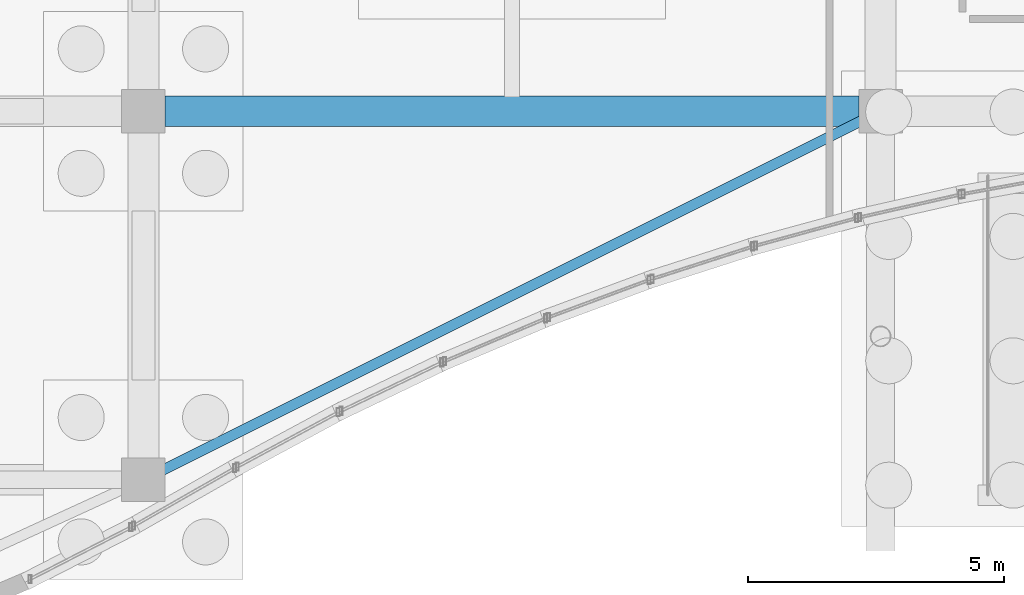
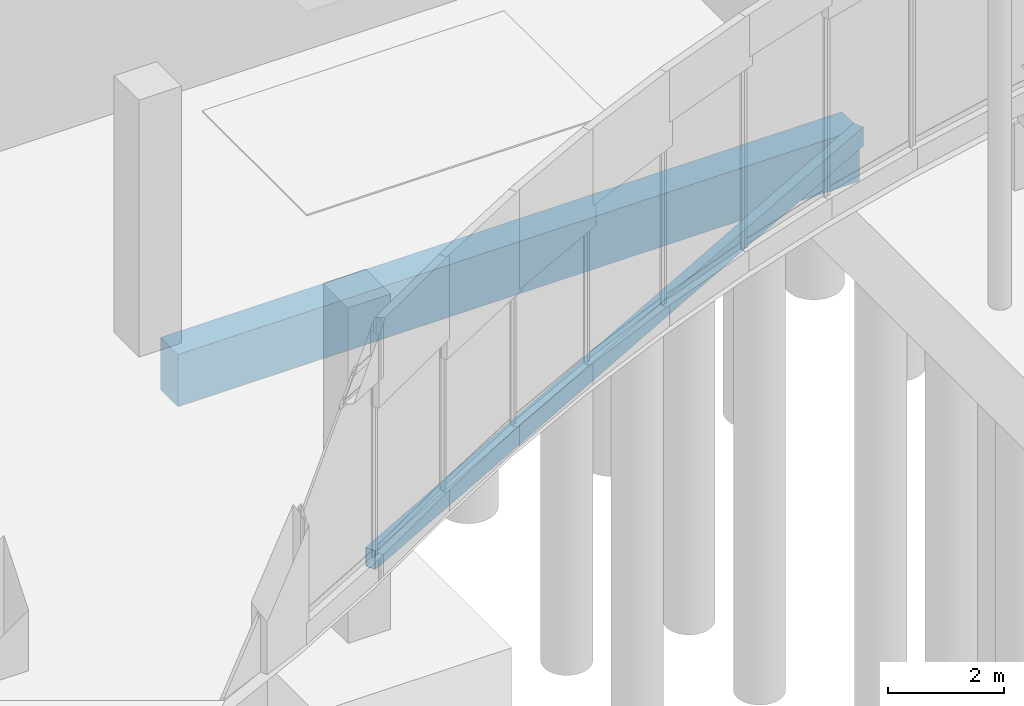
# One storey, part 47 of 192: 2 beams.
"""IFC4 building model written with IfcOpenShell, lengths in metres."""

import ifcopenshell
import ifcopenshell.guid

model = None  # the IFC model being written
_history = None  # IfcOwnerHistory: only IFC2X3 demands one
_inside = {}  # id of a spatial element -> (the spatial element, [elements in it])
_under = {}  # id of a project, library or spatial element -> (it, [spatial elements below it])
_declared = {}  # id of a project -> (the project, [libraries it declares])
_typed = {}  # id of a type object -> (the type object, [elements of that type])
_made_of = {}  # id of a material, layer set ... -> (it, [elements and type objects made of it])


def new_model(schema):
    """Start an empty IFC model of exactly this schema.

    Asked for "IFC4X3", IfcOpenShell would pick the latest addendum, in which some entities
    have other attributes; the version numbers below select the first issue.
    IFC2X3 requires an IfcOwnerHistory on every rooted entity: one is made here for all.
    """
    global model, _history
    if schema == "IFC4X3":
        model = ifcopenshell.file(schema_version=(4, 3, 0, 0))
    else:
        model = ifcopenshell.file(schema=schema)
    _inside.clear()
    _under.clear()
    _declared.clear()
    _typed.clear()
    _made_of.clear()
    _history = None
    if model.schema == "IFC2X3":
        org = make("IfcOrganization", Name="unknown")
        user = make(
            "IfcPersonAndOrganization",
            ThePerson=make("IfcPerson", FamilyName="unknown"),
            TheOrganization=org,
        )
        app = make(
            "IfcApplication",
            ApplicationDeveloper=org,
            Version="unknown",
            ApplicationFullName="unknown",
            ApplicationIdentifier="unknown",
        )
        _history = make(
            "IfcOwnerHistory",
            OwningUser=user,
            OwningApplication=app,
            ChangeAction="ADDED",
            CreationDate=0,
        )
    return model


def make(cls, **values):
    """One entity of the class cls with the attributes given. An attribute that is None is left unset."""
    return model.create_entity(
        cls, **{name: value for name, value in values.items() if value is not None}
    )


def rooted(cls, **values):
    """An entity with a GlobalId (a new one), such as an element, a storey or a relation."""
    return make(cls, GlobalId=ifcopenshell.guid.new(), OwnerHistory=_history, **values)


def si_unit(unit_type, name, prefix=None):
    """IfcSIUnit, for example si_unit("LENGTHUNIT", "METRE", prefix="MILLI")."""
    return make("IfcSIUnit", UnitType=unit_type, Prefix=prefix, Name=name)


def assignment(units):
    """IfcUnitAssignment: the units of a project."""
    return None if units is None else make("IfcUnitAssignment", Units=units)


def point(xyz):
    """IfcCartesianPoint."""
    return None if xyz is None else make("IfcCartesianPoint", Coordinates=xyz)


def direction(xyz):
    """IfcDirection."""
    return None if xyz is None else make("IfcDirection", DirectionRatios=xyz)


def frame(location, z_axis=None, x_axis=None):
    """IfcAxis2Placement3D, a coordinate frame: its origin and axes. An axis left out is left unset."""
    return make(
        "IfcAxis2Placement3D",
        Location=point(location),
        Axis=direction(z_axis),
        RefDirection=direction(x_axis),
    )


def frame_2d(location, x_axis=None):
    """IfcAxis2Placement2D, a coordinate frame in the plane: its origin and x axis."""
    return make(
        "IfcAxis2Placement2D", Location=point(location), RefDirection=direction(x_axis)
    )


def origin():
    """The frame at (0, 0, 0) with its axes left unset."""
    return frame((0.0, 0.0, 0.0))


def origin_2d():
    """The frame at (0, 0) in the plane with its x axis left unset."""
    return frame_2d((0.0, 0.0))


def place(relative_to, where):
    """IfcLocalPlacement: puts the frame where relative to a parent placement (None: the world)."""
    return make(
        "IfcLocalPlacement", PlacementRelTo=relative_to, RelativePlacement=where
    )


def context(
    kind, dimensions, precision=None, world=None, true_north=None, identifier=None
):
    """IfcGeometricRepresentationContext, for example the 3D "Model" context."""
    return make(
        "IfcGeometricRepresentationContext",
        ContextIdentifier=identifier,
        ContextType=kind,
        CoordinateSpaceDimension=dimensions,
        Precision=precision,
        WorldCoordinateSystem=world,
        TrueNorth=true_north,
    )


def subcontext(parent, identifier, kind, view, scale=None):
    """IfcGeometricRepresentationSubContext, for example "Body" below "Model"."""
    return make(
        "IfcGeometricRepresentationSubContext",
        ContextIdentifier=identifier,
        ContextType=kind,
        ParentContext=parent,
        TargetScale=scale,
        TargetView=view,
    )


def project(units=None, contexts=None):
    """IfcProject with its units and contexts."""
    return rooted(
        "IfcProject",
        Name="project",
        RepresentationContexts=contexts,
        UnitsInContext=assignment(units),
    )


def spatial(cls, under=None, at=None, **own):
    """A site, building, storey or space (cls), placed at a placement, below another one or the project."""
    s = rooted(cls, ObjectPlacement=at, **own)
    if under is not None:
        _under.setdefault(under.id(), (under, []))[1].append(s)
    return s


def profile(cls, at=None, kind="AREA", **sizes):
    """A parametric profile (cls). Its sizes go by their IFC names, for example OverallWidth=200.0."""
    return make(cls, ProfileType=kind, Position=at, **sizes)


def rectangle(**sizes):
    """IfcRectangleProfileDef."""
    return profile("IfcRectangleProfileDef", **sizes)


def hollow_rectangle(**sizes):
    """IfcRectangleHollowProfileDef."""
    return profile("IfcRectangleHollowProfileDef", **sizes)


def extrude(swept, where, along, depth):
    """IfcExtrudedAreaSolid: the profile swept, set in the frame where, extruded along a direction by depth."""
    return make(
        "IfcExtrudedAreaSolid",
        SweptArea=swept,
        Position=where,
        ExtrudedDirection=direction(along),
        Depth=depth,
    )


def shape(context_of_items, identifier, shape_type, items):
    """IfcShapeRepresentation: the items that make up one representation, for example the "Body"."""
    return make(
        "IfcShapeRepresentation",
        ContextOfItems=context_of_items,
        RepresentationIdentifier=identifier,
        RepresentationType=shape_type,
        Items=items,
    )


def material(Name=None, Category=None):
    """IfcMaterial."""
    return make("IfcMaterial", Name=Name, Category=Category)


def material_profile(
    of_material, cross_section, Name=None, Category=None, Priority=None
):
    """IfcMaterialProfile: a cross section and its material."""
    return make(
        "IfcMaterialProfile",
        Name=Name,
        Material=of_material,
        Profile=cross_section,
        Priority=Priority,
        Category=Category,
    )


def profile_set(profiles, Name=None, composite=None):
    """IfcMaterialProfileSet."""
    return make(
        "IfcMaterialProfileSet",
        Name=Name,
        MaterialProfiles=profiles,
        CompositeProfile=composite,
    )


def made_of(thing, what):
    """Note that an element or type object is made of a material, layer set ...; save() writes the relation."""
    if what is not None:
        _made_of.setdefault(what.id(), (what, []))[1].append(thing)
    return thing


def type_object(cls, material=None, **own):
    """A type object (cls), such as IfcWallType, which elements share."""
    return made_of(rooted(cls, **own), material)


def element(
    cls,
    number,
    at=None,
    inside=None,
    cuts=None,
    type_object=None,
    material=None,
    context=None,
    identifier="Body",
    shape_type=None,
    held_by="IfcProductDefinitionShape",
    body=None,
    shapes=None,
    **own,
):
    """One element of the class cls, such as IfcWall. Its Tag is "e" and its number.

    at: its placement. inside: the storey or other place that contains it. cuts: it is an
    opening in that element (IfcRelVoidsElement). A single representation is given by context,
    identifier, shape_type and body (its items); several are given by shapes. held_by: the class
    of the entity that holds the representations. save() writes the other relations.
    """
    e = rooted(cls, Tag="e%d" % number, ObjectPlacement=at, **own)
    if body is not None:
        shapes = [shape(context, identifier, shape_type, body)]
    if shapes is not None:
        e.Representation = make(held_by, Representations=shapes)
    if inside is not None:
        _inside.setdefault(inside.id(), (inside, []))[1].append(e)
    if cuts is not None:
        rooted(
            "IfcRelVoidsElement", RelatingBuildingElement=cuts, RelatedOpeningElement=e
        )
    if type_object is not None:
        _typed.setdefault(type_object.id(), (type_object, []))[1].append(e)
    return made_of(e, material)


def aggregate(whole, parts):
    """IfcRelAggregates: a whole, such as a stair, and the parts it consists of."""
    return rooted("IfcRelAggregates", RelatingObject=whole, RelatedObjects=parts)


def save(model, path):
    """Write the relations noted so far, then the file.

    IfcRelAggregates (storeys below a building ...), IfcRelContainedInSpatialStructure (elements
    in a storey), IfcRelDefinesByType, IfcRelAssociatesMaterial and IfcRelDeclares: one each for
    every whole, place, type object, material and project.
    """
    for whole, parts in _under.values():
        aggregate(whole, parts)
    for where, things in _inside.values():
        rooted(
            "IfcRelContainedInSpatialStructure",
            RelatedElements=things,
            RelatingStructure=where,
        )
    for kind, things in _typed.values():
        rooted("IfcRelDefinesByType", RelatedObjects=things, RelatingType=kind)
    for what, things in _made_of.values():
        rooted("IfcRelAssociatesMaterial", RelatedObjects=things, RelatingMaterial=what)
    for by, libraries in _declared.values():
        rooted("IfcRelDeclares", RelatingContext=by, RelatedDefinitions=libraries)
    model.write(path)


model = new_model("IFC4")

# Units and contexts
model_context = context("Model", 3, precision=1e-05, world=origin(), true_north=direction((0.0, 1.0)))
body_context = subcontext(model_context, "Body", "Model", "MODEL_VIEW")
ifc_project = project(units=[si_unit("LENGTHUNIT", "METRE"), si_unit("AREAUNIT", "SQUARE_METRE"), si_unit("VOLUMEUNIT", "CUBIC_METRE"), si_unit("PLANEANGLEUNIT", "RADIAN"), si_unit("MASSUNIT", "GRAM", prefix="KILO")], contexts=[model_context])

# Site, building, storey
site_placement = place(None, origin())
site = spatial("IfcSite", under=ifc_project, at=site_placement, CompositionType="ELEMENT")
building_placement = place(site_placement, origin())
building = spatial("IfcBuilding", under=site, at=building_placement, Name="Cendralis Lancet Convention Centre", CompositionType="ELEMENT")
storey_placement = place(building_placement, origin())
storey = spatial("IfcBuildingStorey", under=building, at=storey_placement, Name="L00", CompositionType="ELEMENT", Elevation=0.0)

# Beams
ifc_material_1 = material(Name="Concrete G40 (C40/50)", Category="concrete")
ifc_material_profile_1 = material_profile(ifc_material_1, rectangle(XDim=0.60009765625, YDim=1.10009765625, at=origin_2d()), Name="RCB 600x1100")
ifc_profile_set_1 = profile_set([ifc_material_profile_1], Name="Concrete G40 (C40/50)")
beam_type_1 = type_object("IfcBeamType", Name="STR-BM-BG02", PredefinedType="BEAM", material=ifc_profile_set_1)
beam_1_placement = place(storey_placement, frame((79.625, 14.39990234375, -0.8701171875), z_axis=(1.0, 0.0, 0.0), x_axis=(0.0, 1.0, 0.0)))
element("IfcBeam", 1, at=beam_1_placement, inside=storey, type_object=beam_type_1, Name="L00 Beam BG02 #0668", PredefinedType="BEAM", context=body_context, shape_type="SweptSolid", body=[
    extrude(rectangle(XDim=0.60009765625, YDim=1.10009765625, at=origin_2d()), origin(), (0.0, 0.0, 1.0), 13.550048828125),
])
ifc_material_2 = material(Name="Steel S355", Category="steel")
ifc_material_profile_2 = material_profile(ifc_material_2, hollow_rectangle(XDim=0.199951171875, YDim=0.39990234375, WallThickness=0.01416015625, at=origin_2d()), Name="RHS 400x200x14.2")
ifc_profile_set_2 = profile_set([ifc_material_profile_2], Name="Steel S355")
beam_type_2 = type_object("IfcBeamType", Name="STR-SP-SP03", PredefinedType="SPANDREL", material=ifc_profile_set_2)
beam_2_placement = place(storey_placement, frame((79.580078125, 7.39013671875, -0.52001953125), z_axis=(0.894430392861, 0.44720719172, 0.0), x_axis=(-0.44720719172, 0.894430392861, 0.0)))
element("IfcBeam", 2, at=beam_2_placement, inside=storey, type_object=beam_type_2, Name="L00 Beam SP03 #1037", PredefinedType="SPANDREL", context=body_context, shape_type="SweptSolid", body=[
    extrude(hollow_rectangle(XDim=0.199951171875, YDim=0.39990234375, WallThickness=0.01416015625, at=origin_2d()), origin(), (0.0, 0.0, 1.0), 15.249755859375),
])

save(model, "model.ifc")
